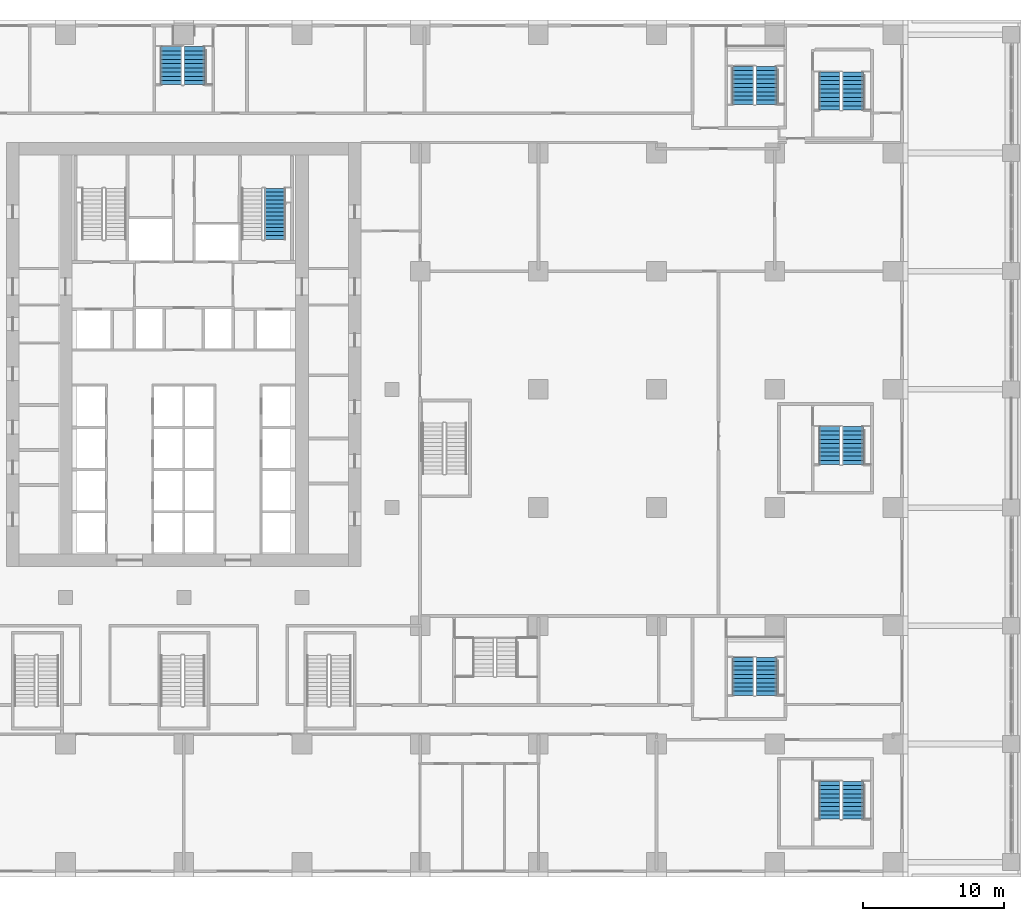
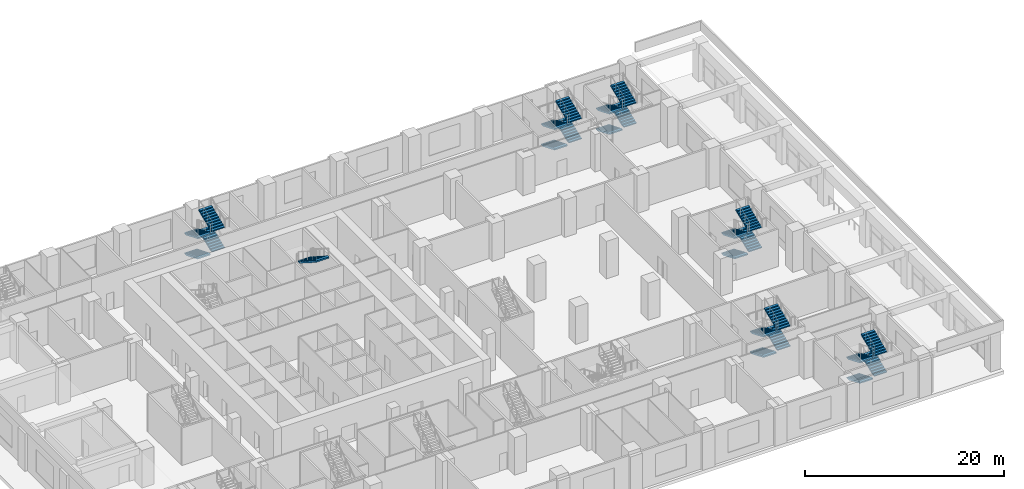
# One storey, part 19 of 29: 25 stair flights, 7 elements without a shape of their own.
"""IFC4 building model written with IfcOpenShell, lengths in metres."""

from ifc_helpers import new_model, si_unit, direction, frame, origin, place, context, subcontext, project, spatial, polyline, outline, extrude, material, type_object, element, aggregate, save


model = new_model("IFC4")

# Units and contexts
model_context = context("Model", 3, precision=1e-05, world=origin(), true_north=direction((0.0, 1.0)))
body_context = subcontext(model_context, "Body", "Model", "MODEL_VIEW")
ifc_project = project(units=[si_unit("LENGTHUNIT", "METRE"), si_unit("AREAUNIT", "SQUARE_METRE"), si_unit("VOLUMEUNIT", "CUBIC_METRE"), si_unit("PLANEANGLEUNIT", "RADIAN"), si_unit("MASSUNIT", "GRAM", prefix="KILO")], contexts=[model_context])

# Site, building, storey
site_placement = place(None, origin())
site = spatial("IfcSite", under=ifc_project, at=site_placement, CompositionType="ELEMENT")
building_placement = place(site_placement, origin())
building = spatial("IfcBuilding", under=site, at=building_placement, Name="Vermilion Ogive Tower", CompositionType="ELEMENT")
storey_placement = place(building_placement, frame((0.0, 0.0, 7.5)))
storey = spatial("IfcBuildingStorey", under=building, at=storey_placement, Name="L01", CompositionType="ELEMENT", Elevation=7.5)

# Stair, stair flight
ifc_material_1 = material(Name="Concrete B40", Category="concrete")
stair_type = type_object("IfcStairType", Name="Exit stair 1500", PredefinedType="HALF_TURN_STAIR", material=ifc_material_1)
stair_1_placement = place(storey_placement, origin())
stair_1 = element("IfcStair", 1, at=stair_1_placement, inside=storey, type_object=stair_type, Name="L01 Exit Stair ST2", PredefinedType="HALF_TURN_STAIR")
ifc_material_2 = material(Name="Concrete B40", Category="concrete")
stair_flight_type = type_object("IfcStairFlightType", Name="Stair flight 1500", PredefinedType="STRAIGHT", material=ifc_material_2)
stair_flight_1_placement = place(storey_placement, frame((6.5, 18.489990234375, 2.5), z_axis=(0.0, 0.0, 1.0), x_axis=(0.0, -1.0, 0.0)))
stair_flight_1 = element("IfcStairFlight", 2, at=stair_flight_1_placement, type_object=stair_flight_type, Name="ST2 flight 2", NumberOfRisers=14, NumberOfTreads=13, PredefinedType="STRAIGHT", RiserHeight=0.178571429, TreadLength=0.28, context=body_context, shape_type="SweptSolid", body=[
    extrude(outline(polyline([(0.0, 0.0), (0.0, 0.178466796875), (0.280029296875, 0.178466796875), (0.280029296875, 0.357177734375), (0.56005859375, 0.357177734375), (0.56005859375, 0.53564453125), (0.840087890625, 0.53564453125), (0.840087890625, 0.71435546875), (1.1201171875, 0.71435546875), (1.1201171875, 0.892822265625), (1.39990234375, 0.892822265625), (1.39990234375, 1.071533203125), (1.679931640625, 1.071533203125), (1.679931640625, 1.25), (1.9599609375, 1.25), (1.9599609375, 1.428466796875), (2.239990234375, 1.428466796875), (2.239990234375, 1.607177734375), (2.52001953125, 1.607177734375), (2.52001953125, 1.78564453125), (2.800048828125, 1.78564453125), (2.800048828125, 1.96435546875), (3.080078125, 1.96435546875), (3.080078125, 2.142822265625), (3.360107421875, 2.142822265625), (3.360107421875, 2.321533203125), (3.639892578125, 2.321533203125), (3.639892578125, 2.5), (3.639892578125, 2.1435546875), (0.27880859375, 0.0), (0.0, 0.0)])), frame((0.0, 0.75, 0.0), z_axis=(0.0, -1.0, 0.0), x_axis=(1.0, 0.0, 0.0)), (0.0, 0.0, 1.0), 1.5),
])
aggregate(stair_1, [stair_flight_1])

# Stair, stair flights
stair_2_placement = place(storey_placement, origin())
stair_2 = element("IfcStair", 3, at=stair_2_placement, inside=storey, type_object=stair_type, Name="L01 Exit Stair PS2", PredefinedType="HALF_TURN_STAIR")
stair_flight_2_placement = place(storey_placement, frame((39.75, 27.14990234375, 0.0), z_axis=(0.0, 0.0, 1.0), x_axis=(0.0, -1.0, 0.0)))
stair_flight_2 = element("IfcStairFlight", 4, at=stair_flight_2_placement, type_object=stair_flight_type, Name="PS2 flight 1", NumberOfRisers=10, NumberOfTreads=9, PredefinedType="STRAIGHT", RiserHeight=0.125, TreadLength=0.3, context=body_context, shape_type="SweptSolid", body=[
    extrude(outline(polyline([(0.0, 0.0), (0.0, 0.125), (0.300048828125, 0.125), (0.300048828125, 0.25), (0.60009765625, 0.25), (0.60009765625, 0.375), (0.89990234375, 0.375), (0.89990234375, 0.5), (1.199951171875, 0.5), (1.199951171875, 0.625), (1.5, 0.625), (1.5, 0.75), (1.800048828125, 0.75), (1.800048828125, 0.875), (2.10009765625, 0.875), (2.10009765625, 1.0), (2.39990234375, 1.0), (2.39990234375, 1.125), (2.699951171875, 1.125), (2.699951171875, 1.25), (2.699951171875, 0.962646484375), (0.3896484375, 0.0), (0.0, 0.0)])), frame((0.0, 0.75, 0.0), z_axis=(0.0, -1.0, 0.0), x_axis=(1.0, 0.0, 0.0)), (0.0, 0.0, 1.0), 1.5),
])
stair_flight_3_placement = place(storey_placement, frame((41.39990234375, 24.449951171875, 1.25), z_axis=(0.0, 0.0, 1.0), x_axis=(0.0, 1.0, 0.0)))
stair_flight_3 = element("IfcStairFlight", 5, at=stair_flight_3_placement, type_object=stair_flight_type, Name="PS2 flight 2", NumberOfRisers=10, NumberOfTreads=9, PredefinedType="STRAIGHT", RiserHeight=0.125, TreadLength=0.3, context=body_context, shape_type="SweptSolid", body=[
    extrude(outline(polyline([(0.0, 0.0), (0.0, 0.125), (0.300048828125, 0.125), (0.300048828125, 0.25), (0.60009765625, 0.25), (0.60009765625, 0.375), (0.89990234375, 0.375), (0.89990234375, 0.5), (1.199951171875, 0.5), (1.199951171875, 0.625), (1.5, 0.625), (1.5, 0.75), (1.800048828125, 0.75), (1.800048828125, 0.875), (2.10009765625, 0.875), (2.10009765625, 1.0), (2.39990234375, 1.0), (2.39990234375, 1.125), (2.699951171875, 1.125), (2.699951171875, 1.25), (2.699951171875, 0.962646484375), (0.3896484375, 0.0), (0.0, 0.0)])), frame((0.0, 0.75, 0.0), z_axis=(0.0, -1.0, 0.0), x_axis=(1.0, 0.0, 0.0)), (0.0, 0.0, 1.0), 1.5),
])
stair_flight_4_placement = place(storey_placement, frame((39.75, 27.14990234375, 2.5), z_axis=(0.0, 0.0, 1.0), x_axis=(0.0, -1.0, 0.0)))
stair_flight_4 = element("IfcStairFlight", 6, at=stair_flight_4_placement, type_object=stair_flight_type, Name="PS2 flight 3", NumberOfRisers=10, NumberOfTreads=9, PredefinedType="STRAIGHT", RiserHeight=0.125, TreadLength=0.3, context=body_context, shape_type="SweptSolid", body=[
    extrude(outline(polyline([(0.0, 0.0), (0.0, 0.125), (0.300048828125, 0.125), (0.300048828125, 0.25), (0.60009765625, 0.25), (0.60009765625, 0.375), (0.89990234375, 0.375), (0.89990234375, 0.5), (1.199951171875, 0.5), (1.199951171875, 0.625), (1.5, 0.625), (1.5, 0.75), (1.800048828125, 0.75), (1.800048828125, 0.875), (2.10009765625, 0.875), (2.10009765625, 1.0), (2.39990234375, 1.0), (2.39990234375, 1.125), (2.699951171875, 1.125), (2.699951171875, 1.25), (2.699951171875, 0.962646484375), (0.3896484375, 0.0), (0.0, 0.0)])), frame((0.0, 0.75, 0.0), z_axis=(0.0, -1.0, 0.0), x_axis=(1.0, 0.0, 0.0)), (0.0, 0.0, 1.0), 1.5),
])
stair_flight_5_placement = place(storey_placement, frame((41.39990234375, 24.449951171875, 3.75), z_axis=(0.0, 0.0, 1.0), x_axis=(0.0, 1.0, 0.0)))
stair_flight_5 = element("IfcStairFlight", 7, at=stair_flight_5_placement, type_object=stair_flight_type, Name="PS2 flight 4", NumberOfRisers=10, NumberOfTreads=9, PredefinedType="STRAIGHT", RiserHeight=0.125, TreadLength=0.3, context=body_context, shape_type="SweptSolid", body=[
    extrude(outline(polyline([(0.0, 0.0), (0.0, 0.125), (0.300048828125, 0.125), (0.300048828125, 0.25), (0.60009765625, 0.25), (0.60009765625, 0.375), (0.89990234375, 0.375), (0.89990234375, 0.5), (1.199951171875, 0.5), (1.199951171875, 0.625), (1.5, 0.625), (1.5, 0.75), (1.800048828125, 0.75), (1.800048828125, 0.875), (2.10009765625, 0.875), (2.10009765625, 1.0), (2.39990234375, 1.0), (2.39990234375, 1.125), (2.699951171875, 1.125), (2.699951171875, 1.25), (2.699951171875, 0.962646484375), (0.3896484375, 0.0), (0.0, 0.0)])), frame((0.0, 0.75, 0.0), z_axis=(0.0, -1.0, 0.0), x_axis=(1.0, 0.0, 0.0)), (0.0, 0.0, 1.0), 1.5),
])
aggregate(stair_2, [stair_flight_2, stair_flight_3, stair_flight_4, stair_flight_5])

stair_3_placement = place(storey_placement, origin())
stair_3 = element("IfcStair", 8, at=stair_3_placement, inside=storey, type_object=stair_type, Name="L01 Exit Stair PS5", PredefinedType="HALF_TURN_STAIR")
stair_flight_6_placement = place(storey_placement, frame((-0.89990234375, 28.550048828125, 0.0), z_axis=(0.0, 0.0, 1.0), x_axis=(0.0, -1.0, 0.0)))
stair_flight_6 = element("IfcStairFlight", 9, at=stair_flight_6_placement, type_object=stair_flight_type, Name="PS5 flight 1", NumberOfRisers=10, NumberOfTreads=9, PredefinedType="STRAIGHT", RiserHeight=0.125, TreadLength=0.3, context=body_context, shape_type="SweptSolid", body=[
    extrude(outline(polyline([(0.0, 0.0), (0.0, 0.125), (0.300048828125, 0.125), (0.300048828125, 0.25), (0.60009765625, 0.25), (0.60009765625, 0.375), (0.89990234375, 0.375), (0.89990234375, 0.5), (1.199951171875, 0.5), (1.199951171875, 0.625), (1.5, 0.625), (1.5, 0.75), (1.800048828125, 0.75), (1.800048828125, 0.875), (2.10009765625, 0.875), (2.10009765625, 1.0), (2.39990234375, 1.0), (2.39990234375, 1.125), (2.699951171875, 1.125), (2.699951171875, 1.25), (2.699951171875, 0.962646484375), (0.3896484375, 0.0), (0.0, 0.0)])), frame((0.0, 0.75, 0.0), z_axis=(0.0, -1.0, 0.0), x_axis=(1.0, 0.0, 0.0)), (0.0, 0.0, 1.0), 1.5),
])
stair_flight_7_placement = place(storey_placement, frame((0.75, 25.85009765625, 1.25), z_axis=(0.0, 0.0, 1.0), x_axis=(0.0, 1.0, 0.0)))
stair_flight_7 = element("IfcStairFlight", 10, at=stair_flight_7_placement, type_object=stair_flight_type, Name="PS5 flight 2", NumberOfRisers=10, NumberOfTreads=9, PredefinedType="STRAIGHT", RiserHeight=0.125, TreadLength=0.3, context=body_context, shape_type="SweptSolid", body=[
    extrude(outline(polyline([(0.0, 0.0), (0.0, 0.125), (0.300048828125, 0.125), (0.300048828125, 0.25), (0.60009765625, 0.25), (0.60009765625, 0.375), (0.89990234375, 0.375), (0.89990234375, 0.5), (1.199951171875, 0.5), (1.199951171875, 0.625), (1.5, 0.625), (1.5, 0.75), (1.800048828125, 0.75), (1.800048828125, 0.875), (2.10009765625, 0.875), (2.10009765625, 1.0), (2.39990234375, 1.0), (2.39990234375, 1.125), (2.699951171875, 1.125), (2.699951171875, 1.25), (2.699951171875, 0.962646484375), (0.3896484375, 0.0), (0.0, 0.0)])), frame((0.0, 0.75, 0.0), z_axis=(0.0, -1.0, 0.0), x_axis=(1.0, 0.0, 0.0)), (0.0, 0.0, 1.0), 1.5),
])
stair_flight_8_placement = place(storey_placement, frame((-0.89990234375, 28.550048828125, 2.5), z_axis=(0.0, 0.0, 1.0), x_axis=(0.0, -1.0, 0.0)))
stair_flight_8 = element("IfcStairFlight", 11, at=stair_flight_8_placement, type_object=stair_flight_type, Name="PS5 flight 3", NumberOfRisers=10, NumberOfTreads=9, PredefinedType="STRAIGHT", RiserHeight=0.125, TreadLength=0.3, context=body_context, shape_type="SweptSolid", body=[
    extrude(outline(polyline([(0.0, 0.0), (0.0, 0.125), (0.300048828125, 0.125), (0.300048828125, 0.25), (0.60009765625, 0.25), (0.60009765625, 0.375), (0.89990234375, 0.375), (0.89990234375, 0.5), (1.199951171875, 0.5), (1.199951171875, 0.625), (1.5, 0.625), (1.5, 0.75), (1.800048828125, 0.75), (1.800048828125, 0.875), (2.10009765625, 0.875), (2.10009765625, 1.0), (2.39990234375, 1.0), (2.39990234375, 1.125), (2.699951171875, 1.125), (2.699951171875, 1.25), (2.699951171875, 0.962646484375), (0.3896484375, 0.0), (0.0, 0.0)])), frame((0.0, 0.75, 0.0), z_axis=(0.0, -1.0, 0.0), x_axis=(1.0, 0.0, 0.0)), (0.0, 0.0, 1.0), 1.5),
])
stair_flight_9_placement = place(storey_placement, frame((0.75, 25.85009765625, 3.75), z_axis=(0.0, 0.0, 1.0), x_axis=(0.0, 1.0, 0.0)))
stair_flight_9 = element("IfcStairFlight", 12, at=stair_flight_9_placement, type_object=stair_flight_type, Name="PS5 flight 4", NumberOfRisers=10, NumberOfTreads=9, PredefinedType="STRAIGHT", RiserHeight=0.125, TreadLength=0.3, context=body_context, shape_type="SweptSolid", body=[
    extrude(outline(polyline([(0.0, 0.0), (0.0, 0.125), (0.300048828125, 0.125), (0.300048828125, 0.25), (0.60009765625, 0.25), (0.60009765625, 0.375), (0.89990234375, 0.375), (0.89990234375, 0.5), (1.199951171875, 0.5), (1.199951171875, 0.625), (1.5, 0.625), (1.5, 0.75), (1.800048828125, 0.75), (1.800048828125, 0.875), (2.10009765625, 0.875), (2.10009765625, 1.0), (2.39990234375, 1.0), (2.39990234375, 1.125), (2.699951171875, 1.125), (2.699951171875, 1.25), (2.699951171875, 0.962646484375), (0.3896484375, 0.0), (0.0, 0.0)])), frame((0.0, 0.75, 0.0), z_axis=(0.0, -1.0, 0.0), x_axis=(1.0, 0.0, 0.0)), (0.0, 0.0, 1.0), 1.5),
])
aggregate(stair_3, [stair_flight_6, stair_flight_7, stair_flight_8, stair_flight_9])

stair_4_placement = place(storey_placement, origin())
stair_4 = element("IfcStair", 13, at=stair_4_placement, inside=storey, type_object=stair_type, Name="L01 Exit Stair PS6", PredefinedType="HALF_TURN_STAIR")
stair_flight_10_placement = place(storey_placement, frame((39.75, -14.85009765625, 0.0), z_axis=(0.0, 0.0, 1.0), x_axis=(0.0, -1.0, 0.0)))
stair_flight_10 = element("IfcStairFlight", 14, at=stair_flight_10_placement, type_object=stair_flight_type, Name="PS6 flight 1", NumberOfRisers=10, NumberOfTreads=9, PredefinedType="STRAIGHT", RiserHeight=0.125, TreadLength=0.3, context=body_context, shape_type="SweptSolid", body=[
    extrude(outline(polyline([(0.0, 0.0), (0.0, 0.125), (0.300048828125, 0.125), (0.300048828125, 0.25), (0.60009765625, 0.25), (0.60009765625, 0.375), (0.89990234375, 0.375), (0.89990234375, 0.5), (1.199951171875, 0.5), (1.199951171875, 0.625), (1.5, 0.625), (1.5, 0.75), (1.800048828125, 0.75), (1.800048828125, 0.875), (2.10009765625, 0.875), (2.10009765625, 1.0), (2.39990234375, 1.0), (2.39990234375, 1.125), (2.699951171875, 1.125), (2.699951171875, 1.25), (2.699951171875, 0.962646484375), (0.3896484375, 0.0), (0.0, 0.0)])), frame((0.0, 0.75, 0.0), z_axis=(0.0, -1.0, 0.0), x_axis=(1.0, 0.0, 0.0)), (0.0, 0.0, 1.0), 1.5),
])
stair_flight_11_placement = place(storey_placement, frame((41.39990234375, -17.550048828125, 1.25), z_axis=(0.0, 0.0, 1.0), x_axis=(0.0, 1.0, 0.0)))
stair_flight_11 = element("IfcStairFlight", 15, at=stair_flight_11_placement, type_object=stair_flight_type, Name="PS6 flight 2", NumberOfRisers=10, NumberOfTreads=9, PredefinedType="STRAIGHT", RiserHeight=0.125, TreadLength=0.3, context=body_context, shape_type="SweptSolid", body=[
    extrude(outline(polyline([(0.0, 0.0), (0.0, 0.125), (0.300048828125, 0.125), (0.300048828125, 0.25), (0.60009765625, 0.25), (0.60009765625, 0.375), (0.89990234375, 0.375), (0.89990234375, 0.5), (1.199951171875, 0.5), (1.199951171875, 0.625), (1.5, 0.625), (1.5, 0.75), (1.800048828125, 0.75), (1.800048828125, 0.875), (2.10009765625, 0.875), (2.10009765625, 1.0), (2.39990234375, 1.0), (2.39990234375, 1.125), (2.699951171875, 1.125), (2.699951171875, 1.25), (2.699951171875, 0.962646484375), (0.3896484375, 0.0), (0.0, 0.0)])), frame((0.0, 0.75, 0.0), z_axis=(0.0, -1.0, 0.0), x_axis=(1.0, 0.0, 0.0)), (0.0, 0.0, 1.0), 1.5),
])
stair_flight_12_placement = place(storey_placement, frame((39.75, -14.85009765625, 2.5), z_axis=(0.0, 0.0, 1.0), x_axis=(0.0, -1.0, 0.0)))
stair_flight_12 = element("IfcStairFlight", 16, at=stair_flight_12_placement, type_object=stair_flight_type, Name="PS6 flight 3", NumberOfRisers=10, NumberOfTreads=9, PredefinedType="STRAIGHT", RiserHeight=0.125, TreadLength=0.3, context=body_context, shape_type="SweptSolid", body=[
    extrude(outline(polyline([(0.0, 0.0), (0.0, 0.125), (0.300048828125, 0.125), (0.300048828125, 0.25), (0.60009765625, 0.25), (0.60009765625, 0.375), (0.89990234375, 0.375), (0.89990234375, 0.5), (1.199951171875, 0.5), (1.199951171875, 0.625), (1.5, 0.625), (1.5, 0.75), (1.800048828125, 0.75), (1.800048828125, 0.875), (2.10009765625, 0.875), (2.10009765625, 1.0), (2.39990234375, 1.0), (2.39990234375, 1.125), (2.699951171875, 1.125), (2.699951171875, 1.25), (2.699951171875, 0.962646484375), (0.3896484375, 0.0), (0.0, 0.0)])), frame((0.0, 0.75, 0.0), z_axis=(0.0, -1.0, 0.0), x_axis=(1.0, 0.0, 0.0)), (0.0, 0.0, 1.0), 1.5),
])
stair_flight_13_placement = place(storey_placement, frame((41.39990234375, -17.550048828125, 3.75), z_axis=(0.0, 0.0, 1.0), x_axis=(0.0, 1.0, 0.0)))
stair_flight_13 = element("IfcStairFlight", 17, at=stair_flight_13_placement, type_object=stair_flight_type, Name="PS6 flight 4", NumberOfRisers=10, NumberOfTreads=9, PredefinedType="STRAIGHT", RiserHeight=0.125, TreadLength=0.3, context=body_context, shape_type="SweptSolid", body=[
    extrude(outline(polyline([(0.0, 0.0), (0.0, 0.125), (0.300048828125, 0.125), (0.300048828125, 0.25), (0.60009765625, 0.25), (0.60009765625, 0.375), (0.89990234375, 0.375), (0.89990234375, 0.5), (1.199951171875, 0.5), (1.199951171875, 0.625), (1.5, 0.625), (1.5, 0.75), (1.800048828125, 0.75), (1.800048828125, 0.875), (2.10009765625, 0.875), (2.10009765625, 1.0), (2.39990234375, 1.0), (2.39990234375, 1.125), (2.699951171875, 1.125), (2.699951171875, 1.25), (2.699951171875, 0.962646484375), (0.3896484375, 0.0), (0.0, 0.0)])), frame((0.0, 0.75, 0.0), z_axis=(0.0, -1.0, 0.0), x_axis=(1.0, 0.0, 0.0)), (0.0, 0.0, 1.0), 1.5),
])
aggregate(stair_4, [stair_flight_10, stair_flight_11, stair_flight_12, stair_flight_13])

stair_5_placement = place(storey_placement, origin())
stair_5 = element("IfcStair", 18, at=stair_5_placement, inside=storey, type_object=stair_type, Name="L01 Exit Stair PEN", PredefinedType="HALF_TURN_STAIR")
stair_flight_14_placement = place(storey_placement, frame((45.89990234375, 26.75, 0.0), z_axis=(0.0, 0.0, 1.0), x_axis=(0.0, -1.0, 0.0)))
stair_flight_14 = element("IfcStairFlight", 19, at=stair_flight_14_placement, type_object=stair_flight_type, Name="PEN flight 1", NumberOfRisers=10, NumberOfTreads=9, PredefinedType="STRAIGHT", RiserHeight=0.125, TreadLength=0.3, context=body_context, shape_type="SweptSolid", body=[
    extrude(outline(polyline([(0.0, 0.0), (0.0, 0.125), (0.300048828125, 0.125), (0.300048828125, 0.25), (0.60009765625, 0.25), (0.60009765625, 0.375), (0.89990234375, 0.375), (0.89990234375, 0.5), (1.199951171875, 0.5), (1.199951171875, 0.625), (1.5, 0.625), (1.5, 0.75), (1.800048828125, 0.75), (1.800048828125, 0.875), (2.10009765625, 0.875), (2.10009765625, 1.0), (2.39990234375, 1.0), (2.39990234375, 1.125), (2.699951171875, 1.125), (2.699951171875, 1.25), (2.699951171875, 0.962646484375), (0.3896484375, 0.0), (0.0, 0.0)])), frame((0.0, 0.75, 0.0), z_axis=(0.0, -1.0, 0.0), x_axis=(1.0, 0.0, 0.0)), (0.0, 0.0, 1.0), 1.5),
])
stair_flight_15_placement = place(storey_placement, frame((47.550048828125, 24.050048828125, 1.25), z_axis=(0.0, 0.0, 1.0), x_axis=(0.0, 1.0, 0.0)))
stair_flight_15 = element("IfcStairFlight", 20, at=stair_flight_15_placement, type_object=stair_flight_type, Name="PEN flight 2", NumberOfRisers=10, NumberOfTreads=9, PredefinedType="STRAIGHT", RiserHeight=0.125, TreadLength=0.3, context=body_context, shape_type="SweptSolid", body=[
    extrude(outline(polyline([(0.0, 0.0), (0.0, 0.125), (0.300048828125, 0.125), (0.300048828125, 0.25), (0.60009765625, 0.25), (0.60009765625, 0.375), (0.89990234375, 0.375), (0.89990234375, 0.5), (1.199951171875, 0.5), (1.199951171875, 0.625), (1.5, 0.625), (1.5, 0.75), (1.800048828125, 0.75), (1.800048828125, 0.875), (2.10009765625, 0.875), (2.10009765625, 1.0), (2.39990234375, 1.0), (2.39990234375, 1.125), (2.699951171875, 1.125), (2.699951171875, 1.25), (2.699951171875, 0.962646484375), (0.3896484375, 0.0), (0.0, 0.0)])), frame((0.0, 0.75, 0.0), z_axis=(0.0, -1.0, 0.0), x_axis=(1.0, 0.0, 0.0)), (0.0, 0.0, 1.0), 1.5),
])
stair_flight_16_placement = place(storey_placement, frame((45.89990234375, 26.75, 2.5), z_axis=(0.0, 0.0, 1.0), x_axis=(0.0, -1.0, 0.0)))
stair_flight_16 = element("IfcStairFlight", 21, at=stair_flight_16_placement, type_object=stair_flight_type, Name="PEN flight 3", NumberOfRisers=10, NumberOfTreads=9, PredefinedType="STRAIGHT", RiserHeight=0.125, TreadLength=0.3, context=body_context, shape_type="SweptSolid", body=[
    extrude(outline(polyline([(0.0, 0.0), (0.0, 0.125), (0.300048828125, 0.125), (0.300048828125, 0.25), (0.60009765625, 0.25), (0.60009765625, 0.375), (0.89990234375, 0.375), (0.89990234375, 0.5), (1.199951171875, 0.5), (1.199951171875, 0.625), (1.5, 0.625), (1.5, 0.75), (1.800048828125, 0.75), (1.800048828125, 0.875), (2.10009765625, 0.875), (2.10009765625, 1.0), (2.39990234375, 1.0), (2.39990234375, 1.125), (2.699951171875, 1.125), (2.699951171875, 1.25), (2.699951171875, 0.962646484375), (0.3896484375, 0.0), (0.0, 0.0)])), frame((0.0, 0.75, 0.0), z_axis=(0.0, -1.0, 0.0), x_axis=(1.0, 0.0, 0.0)), (0.0, 0.0, 1.0), 1.5),
])
stair_flight_17_placement = place(storey_placement, frame((47.550048828125, 24.050048828125, 3.75), z_axis=(0.0, 0.0, 1.0), x_axis=(0.0, 1.0, 0.0)))
stair_flight_17 = element("IfcStairFlight", 22, at=stair_flight_17_placement, type_object=stair_flight_type, Name="PEN flight 4", NumberOfRisers=10, NumberOfTreads=9, PredefinedType="STRAIGHT", RiserHeight=0.125, TreadLength=0.3, context=body_context, shape_type="SweptSolid", body=[
    extrude(outline(polyline([(0.0, 0.0), (0.0, 0.125), (0.300048828125, 0.125), (0.300048828125, 0.25), (0.60009765625, 0.25), (0.60009765625, 0.375), (0.89990234375, 0.375), (0.89990234375, 0.5), (1.199951171875, 0.5), (1.199951171875, 0.625), (1.5, 0.625), (1.5, 0.75), (1.800048828125, 0.75), (1.800048828125, 0.875), (2.10009765625, 0.875), (2.10009765625, 1.0), (2.39990234375, 1.0), (2.39990234375, 1.125), (2.699951171875, 1.125), (2.699951171875, 1.25), (2.699951171875, 0.962646484375), (0.3896484375, 0.0), (0.0, 0.0)])), frame((0.0, 0.75, 0.0), z_axis=(0.0, -1.0, 0.0), x_axis=(1.0, 0.0, 0.0)), (0.0, 0.0, 1.0), 1.5),
])
aggregate(stair_5, [stair_flight_14, stair_flight_15, stair_flight_16, stair_flight_17])

stair_6_placement = place(storey_placement, origin())
stair_6 = element("IfcStair", 23, at=stair_6_placement, inside=storey, type_object=stair_type, Name="L01 Exit Stair PEC", PredefinedType="HALF_TURN_STAIR")
stair_flight_18_placement = place(storey_placement, frame((45.89990234375, 1.550048828125, 0.0), z_axis=(0.0, 0.0, 1.0), x_axis=(0.0, -1.0, 0.0)))
stair_flight_18 = element("IfcStairFlight", 24, at=stair_flight_18_placement, type_object=stair_flight_type, Name="PEC flight 1", NumberOfRisers=10, NumberOfTreads=9, PredefinedType="STRAIGHT", RiserHeight=0.125, TreadLength=0.3, context=body_context, shape_type="SweptSolid", body=[
    extrude(outline(polyline([(0.0, 0.0), (0.0, 0.125), (0.300048828125, 0.125), (0.300048828125, 0.25), (0.60009765625, 0.25), (0.60009765625, 0.375), (0.89990234375, 0.375), (0.89990234375, 0.5), (1.199951171875, 0.5), (1.199951171875, 0.625), (1.5, 0.625), (1.5, 0.75), (1.800048828125, 0.75), (1.800048828125, 0.875), (2.10009765625, 0.875), (2.10009765625, 1.0), (2.39990234375, 1.0), (2.39990234375, 1.125), (2.699951171875, 1.125), (2.699951171875, 1.25), (2.699951171875, 0.962646484375), (0.3896484375, 0.0), (0.0, 0.0)])), frame((0.0, 0.75, 0.0), z_axis=(0.0, -1.0, 0.0), x_axis=(1.0, 0.0, 0.0)), (0.0, 0.0, 1.0), 1.5),
])
stair_flight_19_placement = place(storey_placement, frame((47.550048828125, -1.14990234375, 1.25), z_axis=(0.0, 0.0, 1.0), x_axis=(0.0, 1.0, 0.0)))
stair_flight_19 = element("IfcStairFlight", 25, at=stair_flight_19_placement, type_object=stair_flight_type, Name="PEC flight 2", NumberOfRisers=10, NumberOfTreads=9, PredefinedType="STRAIGHT", RiserHeight=0.125, TreadLength=0.3, context=body_context, shape_type="SweptSolid", body=[
    extrude(outline(polyline([(0.0, 0.0), (0.0, 0.125), (0.300048828125, 0.125), (0.300048828125, 0.25), (0.60009765625, 0.25), (0.60009765625, 0.375), (0.89990234375, 0.375), (0.89990234375, 0.5), (1.199951171875, 0.5), (1.199951171875, 0.625), (1.5, 0.625), (1.5, 0.75), (1.800048828125, 0.75), (1.800048828125, 0.875), (2.10009765625, 0.875), (2.10009765625, 1.0), (2.39990234375, 1.0), (2.39990234375, 1.125), (2.699951171875, 1.125), (2.699951171875, 1.25), (2.699951171875, 0.962646484375), (0.3896484375, 0.0), (0.0, 0.0)])), frame((0.0, 0.75, 0.0), z_axis=(0.0, -1.0, 0.0), x_axis=(1.0, 0.0, 0.0)), (0.0, 0.0, 1.0), 1.5),
])
stair_flight_20_placement = place(storey_placement, frame((45.89990234375, 1.550048828125, 2.5), z_axis=(0.0, 0.0, 1.0), x_axis=(0.0, -1.0, 0.0)))
stair_flight_20 = element("IfcStairFlight", 26, at=stair_flight_20_placement, type_object=stair_flight_type, Name="PEC flight 3", NumberOfRisers=10, NumberOfTreads=9, PredefinedType="STRAIGHT", RiserHeight=0.125, TreadLength=0.3, context=body_context, shape_type="SweptSolid", body=[
    extrude(outline(polyline([(0.0, 0.0), (0.0, 0.125), (0.300048828125, 0.125), (0.300048828125, 0.25), (0.60009765625, 0.25), (0.60009765625, 0.375), (0.89990234375, 0.375), (0.89990234375, 0.5), (1.199951171875, 0.5), (1.199951171875, 0.625), (1.5, 0.625), (1.5, 0.75), (1.800048828125, 0.75), (1.800048828125, 0.875), (2.10009765625, 0.875), (2.10009765625, 1.0), (2.39990234375, 1.0), (2.39990234375, 1.125), (2.699951171875, 1.125), (2.699951171875, 1.25), (2.699951171875, 0.962646484375), (0.3896484375, 0.0), (0.0, 0.0)])), frame((0.0, 0.75, 0.0), z_axis=(0.0, -1.0, 0.0), x_axis=(1.0, 0.0, 0.0)), (0.0, 0.0, 1.0), 1.5),
])
stair_flight_21_placement = place(storey_placement, frame((47.550048828125, -1.14990234375, 3.75), z_axis=(0.0, 0.0, 1.0), x_axis=(0.0, 1.0, 0.0)))
stair_flight_21 = element("IfcStairFlight", 27, at=stair_flight_21_placement, type_object=stair_flight_type, Name="PEC flight 4", NumberOfRisers=10, NumberOfTreads=9, PredefinedType="STRAIGHT", RiserHeight=0.125, TreadLength=0.3, context=body_context, shape_type="SweptSolid", body=[
    extrude(outline(polyline([(0.0, 0.0), (0.0, 0.125), (0.300048828125, 0.125), (0.300048828125, 0.25), (0.60009765625, 0.25), (0.60009765625, 0.375), (0.89990234375, 0.375), (0.89990234375, 0.5), (1.199951171875, 0.5), (1.199951171875, 0.625), (1.5, 0.625), (1.5, 0.75), (1.800048828125, 0.75), (1.800048828125, 0.875), (2.10009765625, 0.875), (2.10009765625, 1.0), (2.39990234375, 1.0), (2.39990234375, 1.125), (2.699951171875, 1.125), (2.699951171875, 1.25), (2.699951171875, 0.962646484375), (0.3896484375, 0.0), (0.0, 0.0)])), frame((0.0, 0.75, 0.0), z_axis=(0.0, -1.0, 0.0), x_axis=(1.0, 0.0, 0.0)), (0.0, 0.0, 1.0), 1.5),
])
aggregate(stair_6, [stair_flight_18, stair_flight_19, stair_flight_20, stair_flight_21])

stair_7_placement = place(storey_placement, origin())
stair_7 = element("IfcStair", 28, at=stair_7_placement, inside=storey, type_object=stair_type, Name="L01 Exit Stair PES", PredefinedType="HALF_TURN_STAIR")
stair_flight_22_placement = place(storey_placement, frame((45.89990234375, -23.64990234375, 0.0), z_axis=(0.0, 0.0, 1.0), x_axis=(0.0, -1.0, 0.0)))
stair_flight_22 = element("IfcStairFlight", 29, at=stair_flight_22_placement, type_object=stair_flight_type, Name="PES flight 1", NumberOfRisers=10, NumberOfTreads=9, PredefinedType="STRAIGHT", RiserHeight=0.125, TreadLength=0.3, context=body_context, shape_type="SweptSolid", body=[
    extrude(outline(polyline([(0.0, 0.0), (0.0, 0.125), (0.300048828125, 0.125), (0.300048828125, 0.25), (0.60009765625, 0.25), (0.60009765625, 0.375), (0.89990234375, 0.375), (0.89990234375, 0.5), (1.199951171875, 0.5), (1.199951171875, 0.625), (1.5, 0.625), (1.5, 0.75), (1.800048828125, 0.75), (1.800048828125, 0.875), (2.10009765625, 0.875), (2.10009765625, 1.0), (2.39990234375, 1.0), (2.39990234375, 1.125), (2.699951171875, 1.125), (2.699951171875, 1.25), (2.699951171875, 0.962646484375), (0.3896484375, 0.0), (0.0, 0.0)])), frame((0.0, 0.75, 0.0), z_axis=(0.0, -1.0, 0.0), x_axis=(1.0, 0.0, 0.0)), (0.0, 0.0, 1.0), 1.5),
])
stair_flight_23_placement = place(storey_placement, frame((47.550048828125, -26.35009765625, 1.25), z_axis=(0.0, 0.0, 1.0), x_axis=(0.0, 1.0, 0.0)))
stair_flight_23 = element("IfcStairFlight", 30, at=stair_flight_23_placement, type_object=stair_flight_type, Name="PES flight 2", NumberOfRisers=10, NumberOfTreads=9, PredefinedType="STRAIGHT", RiserHeight=0.125, TreadLength=0.3, context=body_context, shape_type="SweptSolid", body=[
    extrude(outline(polyline([(0.0, 0.0), (0.0, 0.125), (0.300048828125, 0.125), (0.300048828125, 0.25), (0.60009765625, 0.25), (0.60009765625, 0.375), (0.89990234375, 0.375), (0.89990234375, 0.5), (1.199951171875, 0.5), (1.199951171875, 0.625), (1.5, 0.625), (1.5, 0.75), (1.800048828125, 0.75), (1.800048828125, 0.875), (2.10009765625, 0.875), (2.10009765625, 1.0), (2.39990234375, 1.0), (2.39990234375, 1.125), (2.699951171875, 1.125), (2.699951171875, 1.25), (2.699951171875, 0.962646484375), (0.3896484375, 0.0), (0.0, 0.0)])), frame((0.0, 0.75, 0.0), z_axis=(0.0, -1.0, 0.0), x_axis=(1.0, 0.0, 0.0)), (0.0, 0.0, 1.0), 1.5),
])
stair_flight_24_placement = place(storey_placement, frame((45.89990234375, -23.64990234375, 2.5), z_axis=(0.0, 0.0, 1.0), x_axis=(0.0, -1.0, 0.0)))
stair_flight_24 = element("IfcStairFlight", 31, at=stair_flight_24_placement, type_object=stair_flight_type, Name="PES flight 3", NumberOfRisers=10, NumberOfTreads=9, PredefinedType="STRAIGHT", RiserHeight=0.125, TreadLength=0.3, context=body_context, shape_type="SweptSolid", body=[
    extrude(outline(polyline([(0.0, 0.0), (0.0, 0.125), (0.300048828125, 0.125), (0.300048828125, 0.25), (0.60009765625, 0.25), (0.60009765625, 0.375), (0.89990234375, 0.375), (0.89990234375, 0.5), (1.199951171875, 0.5), (1.199951171875, 0.625), (1.5, 0.625), (1.5, 0.75), (1.800048828125, 0.75), (1.800048828125, 0.875), (2.10009765625, 0.875), (2.10009765625, 1.0), (2.39990234375, 1.0), (2.39990234375, 1.125), (2.699951171875, 1.125), (2.699951171875, 1.25), (2.699951171875, 0.962646484375), (0.3896484375, 0.0), (0.0, 0.0)])), frame((0.0, 0.75, 0.0), z_axis=(0.0, -1.0, 0.0), x_axis=(1.0, 0.0, 0.0)), (0.0, 0.0, 1.0), 1.5),
])
stair_flight_25_placement = place(storey_placement, frame((47.550048828125, -26.35009765625, 3.75), z_axis=(0.0, 0.0, 1.0), x_axis=(0.0, 1.0, 0.0)))
stair_flight_25 = element("IfcStairFlight", 32, at=stair_flight_25_placement, type_object=stair_flight_type, Name="PES flight 4", NumberOfRisers=10, NumberOfTreads=9, PredefinedType="STRAIGHT", RiserHeight=0.125, TreadLength=0.3, context=body_context, shape_type="SweptSolid", body=[
    extrude(outline(polyline([(0.0, 0.0), (0.0, 0.125), (0.300048828125, 0.125), (0.300048828125, 0.25), (0.60009765625, 0.25), (0.60009765625, 0.375), (0.89990234375, 0.375), (0.89990234375, 0.5), (1.199951171875, 0.5), (1.199951171875, 0.625), (1.5, 0.625), (1.5, 0.75), (1.800048828125, 0.75), (1.800048828125, 0.875), (2.10009765625, 0.875), (2.10009765625, 1.0), (2.39990234375, 1.0), (2.39990234375, 1.125), (2.699951171875, 1.125), (2.699951171875, 1.25), (2.699951171875, 0.962646484375), (0.3896484375, 0.0), (0.0, 0.0)])), frame((0.0, 0.75, 0.0), z_axis=(0.0, -1.0, 0.0), x_axis=(1.0, 0.0, 0.0)), (0.0, 0.0, 1.0), 1.5),
])
aggregate(stair_7, [stair_flight_22, stair_flight_23, stair_flight_24, stair_flight_25])

save(model, "model.ifc")
